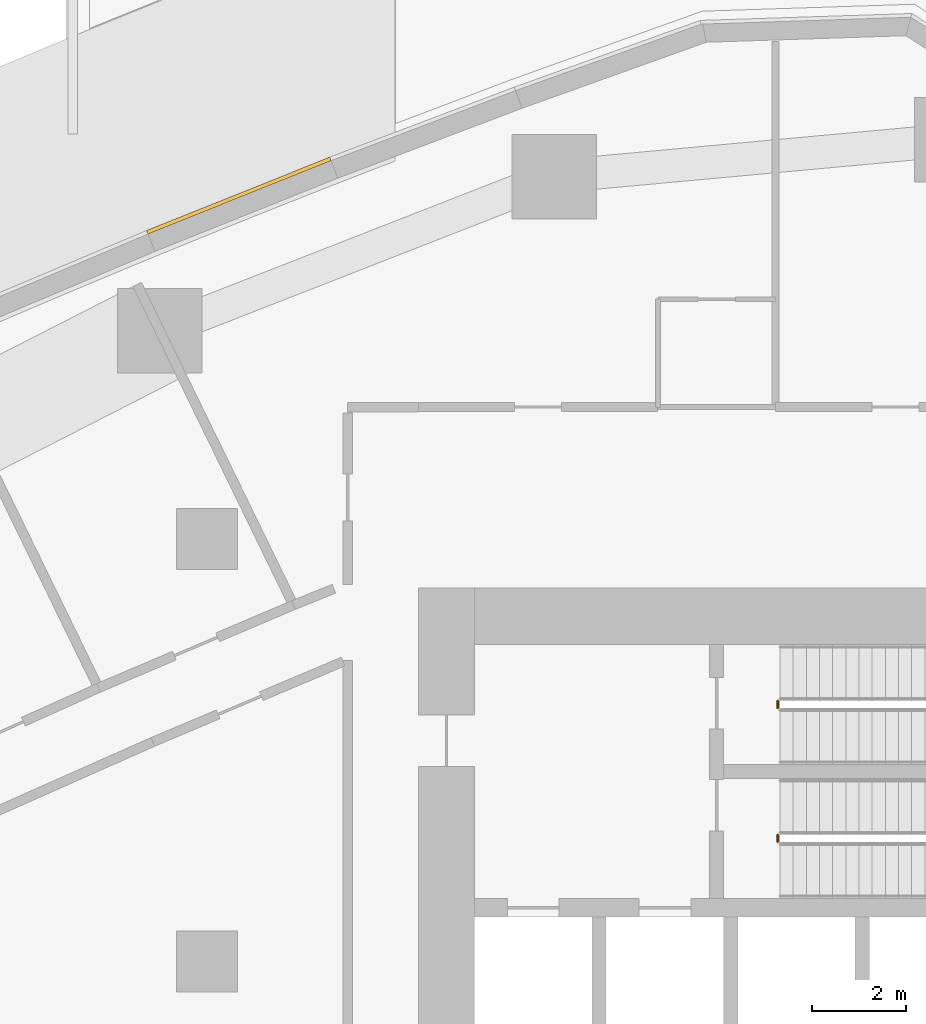
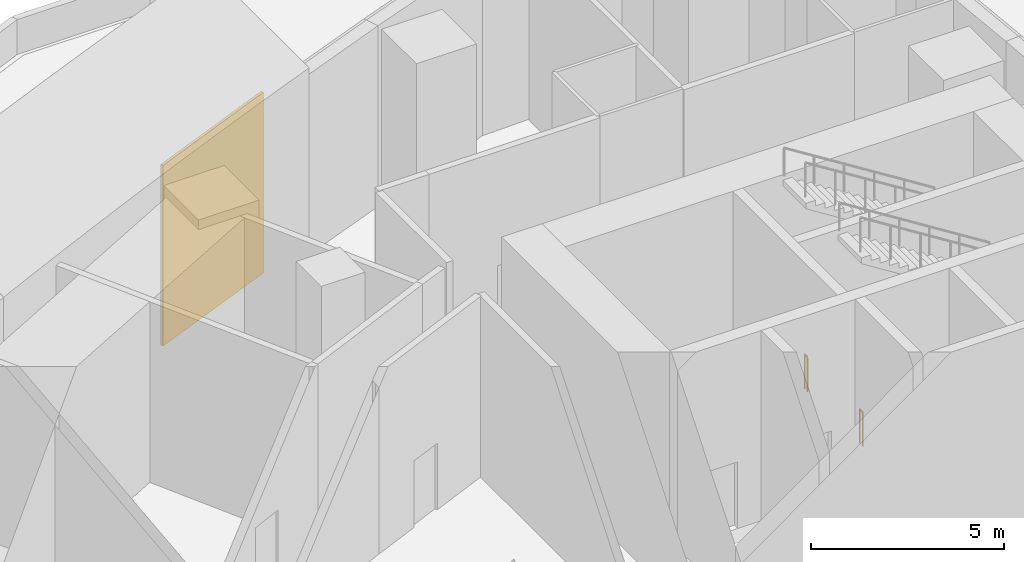
# One storey, part 11 of 14: 2 railings, 1 covering.
"""IFC4 building model written with IfcOpenShell, lengths in metres."""

from ifc_helpers import new_model, si_unit, direction, frame, origin, origin_2d, place, context, subcontext, project, spatial, polyline, circle, outline, extrude, material, layer, layer_set, type_object, element, save


model = new_model("IFC4")

# Units and contexts
model_context = context("Model", 3, precision=1e-05, world=origin(), true_north=direction((0.0, 1.0)))
body_context = subcontext(model_context, "Body", "Model", "MODEL_VIEW")
ifc_project = project(units=[si_unit("LENGTHUNIT", "METRE"), si_unit("AREAUNIT", "SQUARE_METRE"), si_unit("VOLUMEUNIT", "CUBIC_METRE"), si_unit("PLANEANGLEUNIT", "RADIAN"), si_unit("MASSUNIT", "GRAM", prefix="KILO")], contexts=[model_context])

# Site, building, storey
site_placement = place(None, origin())
site = spatial("IfcSite", under=ifc_project, at=site_placement, CompositionType="ELEMENT")
building_placement = place(site_placement, origin())
building = spatial("IfcBuilding", under=site, at=building_placement, Name="Ostrand Prow Hotel Tower", CompositionType="ELEMENT")
storey_placement = place(building_placement, frame((0.0, 0.0, 29.0)))
storey = spatial("IfcBuildingStorey", under=building, at=storey_placement, Name="L05", CompositionType="ELEMENT", Elevation=29.0)

# Railings
ifc_material_1 = material(Name="Painted steel", Category="steel")
railing_type = type_object("IfcRailingType", Name="Stair guard 1100", PredefinedType="GUARDRAIL", material=ifc_material_1)
railing_1_placement = place(storey_placement, frame((57.14990234375, 11.550048828125, 0.0)))
element("IfcRailing", 1, at=railing_1_placement, inside=storey, type_object=railing_type, Name="L05 ST1B stair guard 4", PredefinedType="GUARDRAIL", context=body_context, shape_type="SweptSolid", body=[
    extrude(circle(Radius=0.02392578125, at=origin_2d()), frame((0.0, 0.0, 1.076171875), z_axis=(0.0, 1.0, 0.0), x_axis=(-1.0, 0.0, 0.0)), (0.0, 0.0, 1.0), 0.14990234375),
    extrude(circle(Radius=0.02099609375, at=origin_2d()), origin(), (0.0, 0.0, 1.0), 1.052001953125),
    extrude(circle(Radius=0.02099609375, at=origin_2d()), frame((0.0, 0.14990234375, 0.0)), (0.0, 0.0, 1.0), 1.052001953125),
])
railing_2_placement = place(storey_placement, frame((57.14990234375, 14.39990234375, 0.0)))
element("IfcRailing", 2, at=railing_2_placement, inside=storey, type_object=railing_type, Name="L05 ST3B stair guard 4", PredefinedType="GUARDRAIL", context=body_context, shape_type="SweptSolid", body=[
    extrude(circle(Radius=0.02392578125, at=origin_2d()), frame((0.0, 0.0, 1.076171875), z_axis=(0.0, 1.0, 0.0), x_axis=(-1.0, 0.0, 0.0)), (0.0, 0.0, 1.0), 0.150146484375),
    extrude(circle(Radius=0.02099609375, at=origin_2d()), origin(), (0.0, 0.0, 1.0), 1.052001953125),
    extrude(circle(Radius=0.02099609375, at=origin_2d()), frame((0.0, 0.150146484375, 0.0)), (0.0, 0.0, 1.0), 1.052001953125),
])

# Covering
ifc_material_2 = material(Name="Limestone cladding", Category="masonry")
ifc_layer = layer(ifc_material_2, 0.080078125)
ifc_layer_set = layer_set([ifc_layer], Name="Limestone cladding")
covering_type = type_object("IfcCoveringType", Name="Warm limestone cladding 80 mm", PredefinedType="CLADDING", material=ifc_layer_set)
covering_placement = place(storey_placement, frame((47.62939453125, 26.086669921875, 0.0), z_axis=(0.0, 0.0, 1.0), x_axis=(-0.928264093591, -0.371921729064, 0.0)))
element("IfcCovering", 3, at=covering_placement, inside=storey, type_object=covering_type, Name="Limestone cladding prow 36", PredefinedType="CLADDING", context=body_context, shape_type="SweptSolid", body=[
    extrude(outline(polyline([(-0.00048828125, -0.0400390625), (4.200927734375, -0.0400390625), (4.199951171875, 0.0400390625), (0.00048828125, 0.0400390625), (-0.00048828125, -0.0400390625)])), origin(), (0.0, 0.0, 1.0), 5.699951171875),
])

save(model, "model.ifc")
